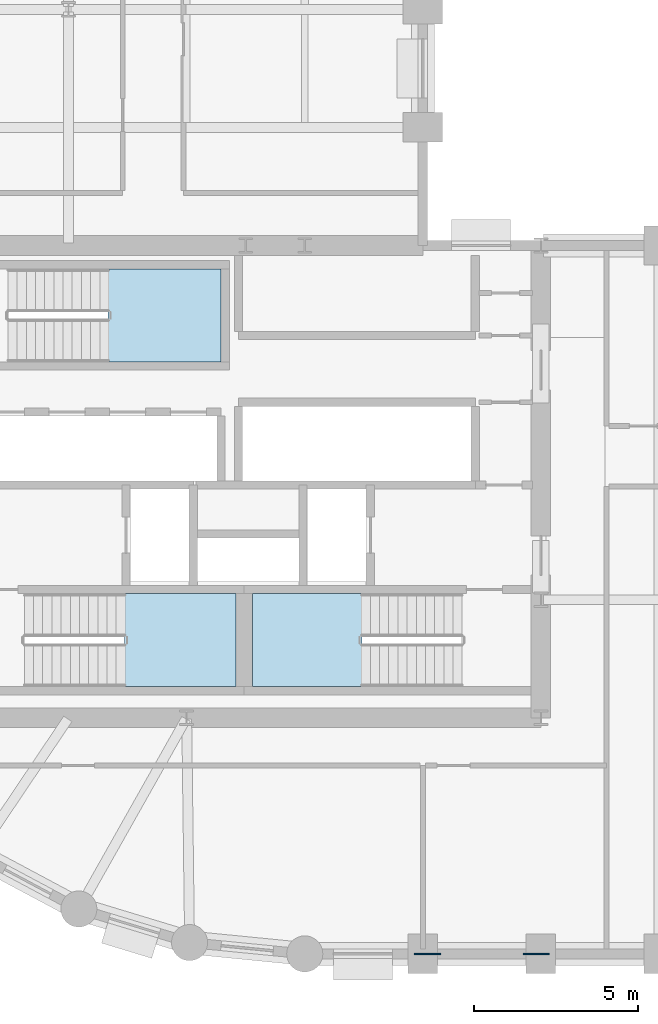
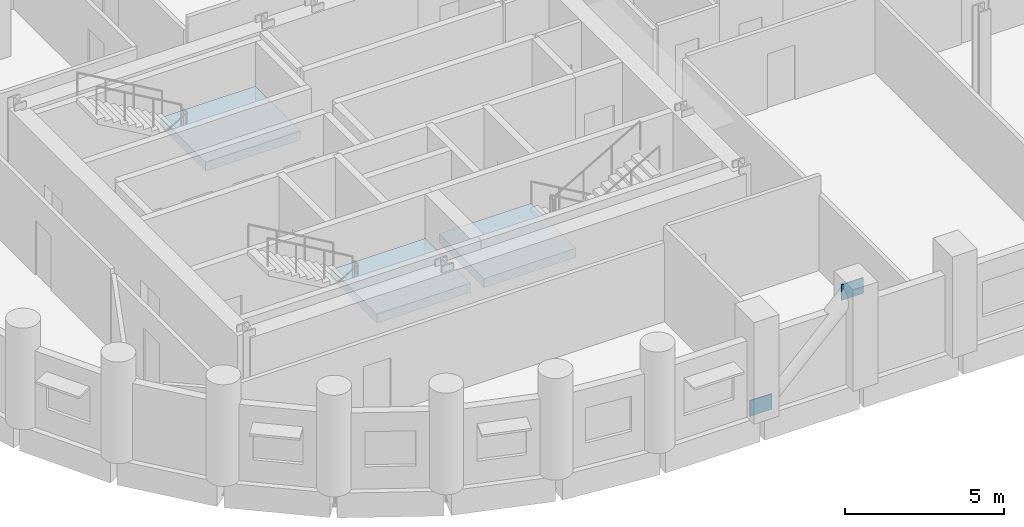
# One storey, part 3 of 11: 3 slabs, 2 plates, 3 elements without a shape of their own.
"""IFC4 building model written with IfcOpenShell, lengths in metres."""

from ifc_helpers import new_model, si_unit, direction, frame, origin, origin_2d, place, context, subcontext, project, spatial, polyline, rectangle, outline, extrude, material, layer, layer_set, type_object, element, aggregate, save


model = new_model("IFC4")

# Units and contexts
model_context = context("Model", 3, precision=1e-05, world=origin(), true_north=direction((0.0, 1.0)))
body_context = subcontext(model_context, "Body", "Model", "MODEL_VIEW")
ifc_project = project(units=[si_unit("LENGTHUNIT", "METRE"), si_unit("AREAUNIT", "SQUARE_METRE"), si_unit("VOLUMEUNIT", "CUBIC_METRE"), si_unit("PLANEANGLEUNIT", "RADIAN"), si_unit("MASSUNIT", "GRAM", prefix="KILO")], contexts=[model_context])

# Site, building, storey
site_placement = place(None, origin())
site = spatial("IfcSite", under=ifc_project, at=site_placement, CompositionType="ELEMENT")
building_placement = place(site_placement, origin())
building = spatial("IfcBuilding", under=site, at=building_placement, Name="Solnavia Interchange Tower", CompositionType="ELEMENT")
storey_placement = place(building_placement, frame((0.0, 0.0, 47.39990234375)))
storey = spatial("IfcBuildingStorey", under=building, at=storey_placement, Name="L11", CompositionType="ELEMENT", Elevation=47.39990234375)

# Plates
ifc_material_1 = material(Name="Steel S460", Category="steel")
ifc_layer_1 = layer(ifc_material_1, 0.035888671875)
ifc_layer_set_1 = layer_set([ifc_layer_1], Name="Steel S460")
plate_type = type_object("IfcPlateType", Name="Plate-Gusset-800x600x36", PredefinedType="USERDEFINED", material=ifc_layer_set_1)
for number, where, z_axis, x_axis, name in (
    (1, (28.93994140625, 3.60009765625, -0.119873046875), (0.0, 0.0, 1.0), (1.0, 0.0, 0.0), "PLT-L11-GP01 Perimeter brace gusset plate"),
    (2, (32.260009765625, 3.60009765625, 3.170166015625), (0.0, 0.0, 1.0), (1.0, 0.0, 0.0), "PLT-L11-GP02 Perimeter brace gusset plate"),
):
    element("IfcPlate", number, at=place(storey_placement, frame(where, z_axis=z_axis, x_axis=x_axis)), inside=storey, type_object=plate_type, Name=name, ObjectType="GUSSET PLATE", PredefinedType="USERDEFINED", context=body_context, shape_type="SweptSolid", body=[
        extrude(rectangle(XDim=0.800048828125, YDim=0.035888671875, at=origin_2d()), origin(), (0.0, 0.0, 1.0), 0.60009765625),
    ])

# Stair, slab
ifc_material_2 = material(Name="Concrete C40/50", Category="concrete")
stair_type = type_object("IfcStairType", Name="Stair-Dogleg-RC", PredefinedType="HALF_TURN_STAIR", material=ifc_material_2)
stair_1_placement = place(storey_placement, origin())
stair_1 = element("IfcStair", 3, at=stair_1_placement, inside=storey, type_object=stair_type, Name="L11 Core exit stair 1", PredefinedType="HALF_TURN_STAIR")
ifc_layer_2 = layer(ifc_material_2, 0.35009765625)
ifc_layer_set_2 = layer_set([ifc_layer_2], Name="Concrete C40/50")
slab_type = type_object("IfcSlabType", Name="Slab-StairLanding-350", PredefinedType="LANDING", material=ifc_layer_set_2)
slab_1_placement = place(storey_placement, frame((0.0, 0.0, 1.60009765625)))
slab_1 = element("IfcSlab", 4, at=slab_1_placement, type_object=slab_type, Name="ST-1 landing 1", PredefinedType="LANDING", context=body_context, shape_type="SweptSolid", body=[
    extrude(outline(polyline([(19.7080078125, 11.75), (23.10009765625, 11.75), (23.10009765625, 14.590087890625), (19.7080078125, 14.590087890625), (19.7080078125, 11.75)])), origin(), (0.0, 0.0, 1.0), 0.35009765625),
])
aggregate(stair_1, [slab_1])

stair_2_placement = place(storey_placement, origin())
stair_2 = element("IfcStair", 5, at=stair_2_placement, inside=storey, type_object=stair_type, Name="L11 Core exit stair 2", PredefinedType="HALF_TURN_STAIR")
slab_2_placement = place(storey_placement, frame((0.0, 0.0, 1.60009765625)))
slab_2 = element("IfcSlab", 6, at=slab_2_placement, type_object=slab_type, Name="ST-2 landing 1", PredefinedType="LANDING", context=body_context, shape_type="SweptSolid", body=[
    extrude(outline(polyline([(23.60009765625, 11.75), (26.94189453125, 11.75), (26.94189453125, 14.590087890625), (23.60009765625, 14.590087890625), (23.60009765625, 11.75)])), origin(), (0.0, 0.0, 1.0), 0.35009765625),
])
aggregate(stair_2, [slab_2])

stair_3_placement = place(storey_placement, origin())
stair_3 = element("IfcStair", 7, at=stair_3_placement, inside=storey, type_object=stair_type, Name="L11 Core exit stair 3", PredefinedType="HALF_TURN_STAIR")
slab_3_placement = place(storey_placement, frame((0.0, 0.0, 1.60009765625)))
slab_3 = element("IfcSlab", 8, at=slab_3_placement, type_object=slab_type, Name="ST-3 landing 1", PredefinedType="LANDING", context=body_context, shape_type="SweptSolid", body=[
    extrude(outline(polyline([(19.2080078125, 21.64990234375), (22.64990234375, 21.64990234375), (22.64990234375, 24.489990234375), (19.2080078125, 24.489990234375), (19.2080078125, 21.64990234375)])), origin(), (0.0, 0.0, 1.0), 0.35009765625),
])
aggregate(stair_3, [slab_3])

save(model, "model.ifc")
